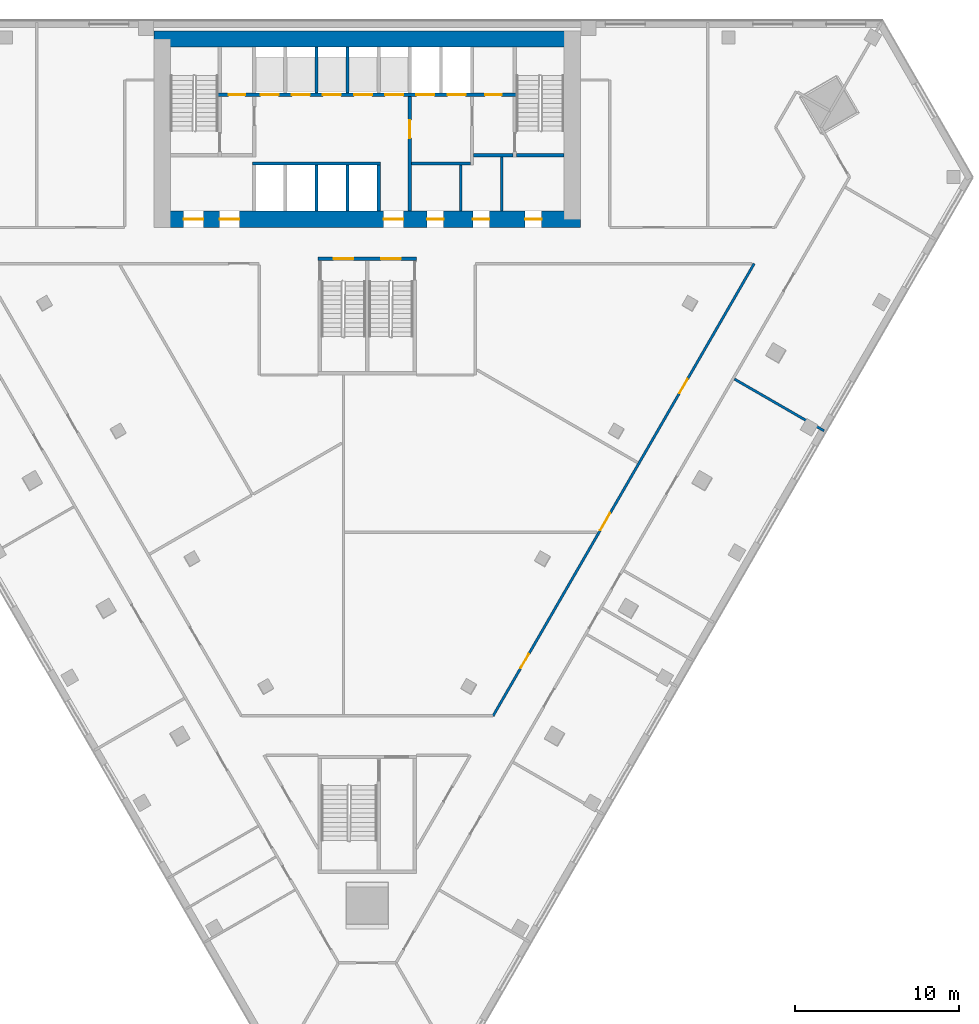
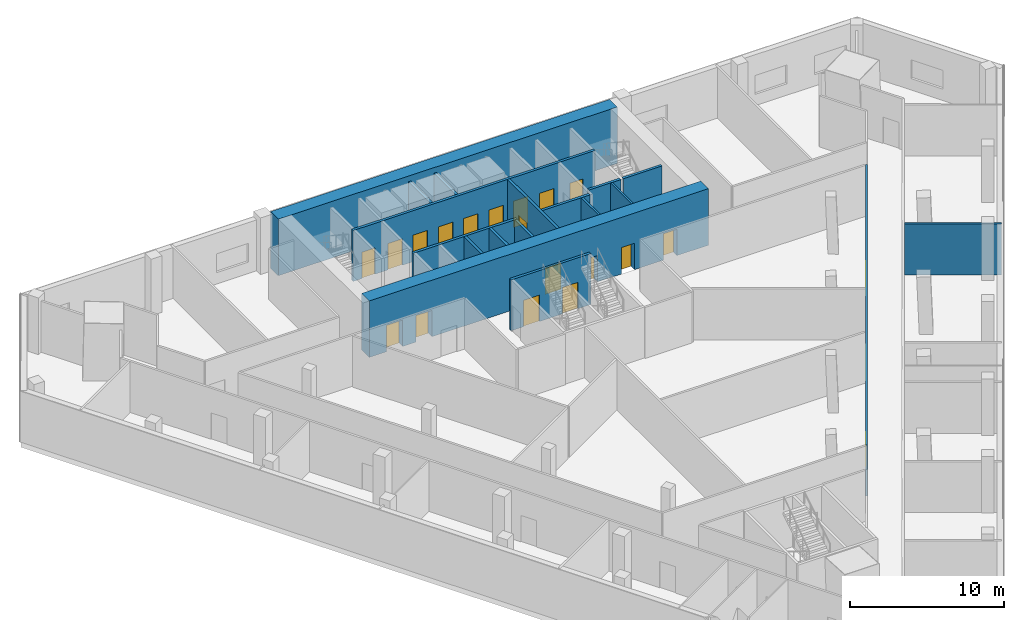
# One storey, part 5 of 9: 21 doors, 18 walls, 21 openings.
"""IFC4 building model written with IfcOpenShell, lengths in metres."""

import ifcopenshell
import ifcopenshell.guid

model = None  # the IFC model being written
_history = None  # IfcOwnerHistory: only IFC2X3 demands one
_inside = {}  # id of a spatial element -> (the spatial element, [elements in it])
_under = {}  # id of a project, library or spatial element -> (it, [spatial elements below it])
_declared = {}  # id of a project -> (the project, [libraries it declares])
_typed = {}  # id of a type object -> (the type object, [elements of that type])
_made_of = {}  # id of a material, layer set ... -> (it, [elements and type objects made of it])


def new_model(schema):
    """Start an empty IFC model of exactly this schema.

    Asked for "IFC4X3", IfcOpenShell would pick the latest addendum, in which some entities
    have other attributes; the version numbers below select the first issue.
    IFC2X3 requires an IfcOwnerHistory on every rooted entity: one is made here for all.
    """
    global model, _history
    if schema == "IFC4X3":
        model = ifcopenshell.file(schema_version=(4, 3, 0, 0))
    else:
        model = ifcopenshell.file(schema=schema)
    _inside.clear()
    _under.clear()
    _declared.clear()
    _typed.clear()
    _made_of.clear()
    _history = None
    if model.schema == "IFC2X3":
        org = make("IfcOrganization", Name="unknown")
        user = make(
            "IfcPersonAndOrganization",
            ThePerson=make("IfcPerson", FamilyName="unknown"),
            TheOrganization=org,
        )
        app = make(
            "IfcApplication",
            ApplicationDeveloper=org,
            Version="unknown",
            ApplicationFullName="unknown",
            ApplicationIdentifier="unknown",
        )
        _history = make(
            "IfcOwnerHistory",
            OwningUser=user,
            OwningApplication=app,
            ChangeAction="ADDED",
            CreationDate=0,
        )
    return model


def make(cls, **values):
    """One entity of the class cls with the attributes given. An attribute that is None is left unset."""
    return model.create_entity(
        cls, **{name: value for name, value in values.items() if value is not None}
    )


def rooted(cls, **values):
    """An entity with a GlobalId (a new one), such as an element, a storey or a relation."""
    return make(cls, GlobalId=ifcopenshell.guid.new(), OwnerHistory=_history, **values)


def si_unit(unit_type, name, prefix=None):
    """IfcSIUnit, for example si_unit("LENGTHUNIT", "METRE", prefix="MILLI")."""
    return make("IfcSIUnit", UnitType=unit_type, Prefix=prefix, Name=name)


def assignment(units):
    """IfcUnitAssignment: the units of a project."""
    return None if units is None else make("IfcUnitAssignment", Units=units)


def point(xyz):
    """IfcCartesianPoint."""
    return None if xyz is None else make("IfcCartesianPoint", Coordinates=xyz)


def direction(xyz):
    """IfcDirection."""
    return None if xyz is None else make("IfcDirection", DirectionRatios=xyz)


def frame(location, z_axis=None, x_axis=None):
    """IfcAxis2Placement3D, a coordinate frame: its origin and axes. An axis left out is left unset."""
    return make(
        "IfcAxis2Placement3D",
        Location=point(location),
        Axis=direction(z_axis),
        RefDirection=direction(x_axis),
    )


def frame_2d(location, x_axis=None):
    """IfcAxis2Placement2D, a coordinate frame in the plane: its origin and x axis."""
    return make(
        "IfcAxis2Placement2D", Location=point(location), RefDirection=direction(x_axis)
    )


def origin():
    """The frame at (0, 0, 0) with its axes left unset."""
    return frame((0.0, 0.0, 0.0))


def place(relative_to, where):
    """IfcLocalPlacement: puts the frame where relative to a parent placement (None: the world)."""
    return make(
        "IfcLocalPlacement", PlacementRelTo=relative_to, RelativePlacement=where
    )


def context(
    kind, dimensions, precision=None, world=None, true_north=None, identifier=None
):
    """IfcGeometricRepresentationContext, for example the 3D "Model" context."""
    return make(
        "IfcGeometricRepresentationContext",
        ContextIdentifier=identifier,
        ContextType=kind,
        CoordinateSpaceDimension=dimensions,
        Precision=precision,
        WorldCoordinateSystem=world,
        TrueNorth=true_north,
    )


def subcontext(parent, identifier, kind, view, scale=None):
    """IfcGeometricRepresentationSubContext, for example "Body" below "Model"."""
    return make(
        "IfcGeometricRepresentationSubContext",
        ContextIdentifier=identifier,
        ContextType=kind,
        ParentContext=parent,
        TargetScale=scale,
        TargetView=view,
    )


def project(units=None, contexts=None):
    """IfcProject with its units and contexts."""
    return rooted(
        "IfcProject",
        Name="project",
        RepresentationContexts=contexts,
        UnitsInContext=assignment(units),
    )


def spatial(cls, under=None, at=None, **own):
    """A site, building, storey or space (cls), placed at a placement, below another one or the project."""
    s = rooted(cls, ObjectPlacement=at, **own)
    if under is not None:
        _under.setdefault(under.id(), (under, []))[1].append(s)
    return s


def profile(cls, at=None, kind="AREA", **sizes):
    """A parametric profile (cls). Its sizes go by their IFC names, for example OverallWidth=200.0."""
    return make(cls, ProfileType=kind, Position=at, **sizes)


def rectangle(**sizes):
    """IfcRectangleProfileDef."""
    return profile("IfcRectangleProfileDef", **sizes)


def extrude(swept, where, along, depth):
    """IfcExtrudedAreaSolid: the profile swept, set in the frame where, extruded along a direction by depth."""
    return make(
        "IfcExtrudedAreaSolid",
        SweptArea=swept,
        Position=where,
        ExtrudedDirection=direction(along),
        Depth=depth,
    )


def shape(context_of_items, identifier, shape_type, items):
    """IfcShapeRepresentation: the items that make up one representation, for example the "Body"."""
    return make(
        "IfcShapeRepresentation",
        ContextOfItems=context_of_items,
        RepresentationIdentifier=identifier,
        RepresentationType=shape_type,
        Items=items,
    )


def material(Name=None, Category=None):
    """IfcMaterial."""
    return make("IfcMaterial", Name=Name, Category=Category)


def layer(
    of_material, thickness, ventilated=None, Name=None, Category=None, Priority=None
):
    """IfcMaterialLayer: one layer of a wall or slab, of a material (None: an air gap)."""
    return make(
        "IfcMaterialLayer",
        Material=of_material,
        LayerThickness=thickness,
        IsVentilated=ventilated,
        Name=Name,
        Category=Category,
        Priority=Priority,
    )


def layer_set(layers, Name=None):
    """IfcMaterialLayerSet."""
    return make("IfcMaterialLayerSet", MaterialLayers=layers, LayerSetName=Name)


def made_of(thing, what):
    """Note that an element or type object is made of a material, layer set ...; save() writes the relation."""
    if what is not None:
        _made_of.setdefault(what.id(), (what, []))[1].append(thing)
    return thing


def type_object(cls, material=None, **own):
    """A type object (cls), such as IfcWallType, which elements share."""
    return made_of(rooted(cls, **own), material)


def element(
    cls,
    number,
    at=None,
    inside=None,
    cuts=None,
    type_object=None,
    material=None,
    context=None,
    identifier="Body",
    shape_type=None,
    held_by="IfcProductDefinitionShape",
    body=None,
    shapes=None,
    **own,
):
    """One element of the class cls, such as IfcWall. Its Tag is "e" and its number.

    at: its placement. inside: the storey or other place that contains it. cuts: it is an
    opening in that element (IfcRelVoidsElement). A single representation is given by context,
    identifier, shape_type and body (its items); several are given by shapes. held_by: the class
    of the entity that holds the representations. save() writes the other relations.
    """
    e = rooted(cls, Tag="e%d" % number, ObjectPlacement=at, **own)
    if body is not None:
        shapes = [shape(context, identifier, shape_type, body)]
    if shapes is not None:
        e.Representation = make(held_by, Representations=shapes)
    if inside is not None:
        _inside.setdefault(inside.id(), (inside, []))[1].append(e)
    if cuts is not None:
        rooted(
            "IfcRelVoidsElement", RelatingBuildingElement=cuts, RelatedOpeningElement=e
        )
    if type_object is not None:
        _typed.setdefault(type_object.id(), (type_object, []))[1].append(e)
    return made_of(e, material)


def fill(opening, filler):
    """IfcRelFillsElement: the door or window that sits in an opening."""
    return rooted(
        "IfcRelFillsElement",
        RelatingOpeningElement=opening,
        RelatedBuildingElement=filler,
    )


def aggregate(whole, parts):
    """IfcRelAggregates: a whole, such as a stair, and the parts it consists of."""
    return rooted("IfcRelAggregates", RelatingObject=whole, RelatedObjects=parts)


def save(model, path):
    """Write the relations noted so far, then the file.

    IfcRelAggregates (storeys below a building ...), IfcRelContainedInSpatialStructure (elements
    in a storey), IfcRelDefinesByType, IfcRelAssociatesMaterial and IfcRelDeclares: one each for
    every whole, place, type object, material and project.
    """
    for whole, parts in _under.values():
        aggregate(whole, parts)
    for where, things in _inside.values():
        rooted(
            "IfcRelContainedInSpatialStructure",
            RelatedElements=things,
            RelatingStructure=where,
        )
    for kind, things in _typed.values():
        rooted("IfcRelDefinesByType", RelatedObjects=things, RelatingType=kind)
    for what, things in _made_of.values():
        rooted("IfcRelAssociatesMaterial", RelatedObjects=things, RelatingMaterial=what)
    for by, libraries in _declared.values():
        rooted("IfcRelDeclares", RelatingContext=by, RelatedDefinitions=libraries)
    model.write(path)


model = new_model("IFC4")

# Units and contexts
model_context = context("Model", 3, precision=1e-05, world=origin(), true_north=direction((0.0, 1.0)))
body_context = subcontext(model_context, "Body", "Model", "MODEL_VIEW")
ifc_project = project(units=[si_unit("LENGTHUNIT", "METRE"), si_unit("AREAUNIT", "SQUARE_METRE"), si_unit("VOLUMEUNIT", "CUBIC_METRE"), si_unit("PLANEANGLEUNIT", "RADIAN"), si_unit("MASSUNIT", "GRAM", prefix="KILO")], contexts=[model_context])

# Site, building, storey
site_placement = place(None, origin())
site = spatial("IfcSite", under=ifc_project, at=site_placement, CompositionType="ELEMENT")
building_placement = place(site_placement, origin())
building = spatial("IfcBuilding", under=site, at=building_placement, Name="Altiplano Prism Tower", CompositionType="ELEMENT")
storey_placement = place(building_placement, frame((0.0, 0.0, 9.0)))
storey = spatial("IfcBuildingStorey", under=building, at=storey_placement, Name="L01", CompositionType="ELEMENT", Elevation=9.0)

# Wall, openings, doors
ifc_material_1 = material(Name="Concrete C70/85", Category="concrete")
ifc_layer_1 = layer(ifc_material_1, 1.0)
ifc_layer_set_1 = layer_set([ifc_layer_1], Name="Concrete C70/85")
wall_type_1 = type_object("IfcWallType", Name="Core wall 1000", PredefinedType="SHEAR", material=ifc_layer_set_1)
wall_1_placement = place(storey_placement, frame((72.5, 92.89990234375, 0.0), z_axis=(0.0, 0.0, 1.0), x_axis=(1.0, 0.0, 0.0)))
wall_1 = element("IfcWall", 1, at=wall_1_placement, inside=storey, type_object=wall_type_1, Name="Core wall S L01", PredefinedType="SHEAR", context=body_context, shape_type="SweptSolid", body=[
    extrude(rectangle(XDim=25.5, YDim=1.0, at=frame_2d((12.75, 0.0))), origin(), (0.0, 0.0, 1.0), 4.5),
])
opening_1_placement = place(wall_1_placement, frame((1.300048828125, 0.0, 0.0)))
opening_1 = element("IfcOpeningElement", 2, at=opening_1_placement, cuts=wall_1, Name="Opening D2605", PredefinedType="OPENING", context=body_context, shape_type="SweptSolid", body=[
    extrude(rectangle(XDim=1.199951171875, YDim=2.10009765625, at=frame_2d((0.60009765625, 1.050048828125))), frame((0.0, 0.510498046875, 0.0), z_axis=(0.0, -1.0, 0.0), x_axis=(1.0, 0.0, 0.0)), (0.0, 0.0, 1.0), 1.02099609375),
])
opening_2_placement = place(wall_1_placement, frame((3.5, 0.0, 0.0)))
opening_2 = element("IfcOpeningElement", 3, at=opening_2_placement, cuts=wall_1, Name="Opening D2606", PredefinedType="OPENING", context=body_context, shape_type="SweptSolid", body=[
    extrude(rectangle(XDim=1.199951171875, YDim=2.10009765625, at=frame_2d((0.60009765625, 1.050048828125))), frame((0.0, 0.510498046875, 0.0), z_axis=(0.0, -1.0, 0.0), x_axis=(1.0, 0.0, 0.0)), (0.0, 0.0, 1.0), 1.02099609375),
])
opening_3_placement = place(wall_1_placement, frame((13.5, 0.0, 0.0)))
opening_3 = element("IfcOpeningElement", 4, at=opening_3_placement, cuts=wall_1, Name="Opening D2607", PredefinedType="OPENING", context=body_context, shape_type="SweptSolid", body=[
    extrude(rectangle(XDim=1.199951171875, YDim=2.10009765625, at=frame_2d((0.60009765625, 1.050048828125))), frame((0.0, 0.510498046875, 0.0), z_axis=(0.0, -1.0, 0.0), x_axis=(1.0, 0.0, 0.0)), (0.0, 0.0, 1.0), 1.02099609375),
])
opening_4_placement = place(wall_1_placement, frame((16.16259765625, 0.0, 0.0)))
opening_4 = element("IfcOpeningElement", 5, at=opening_4_placement, cuts=wall_1, Name="Opening D2610", PredefinedType="OPENING", context=body_context, shape_type="SweptSolid", body=[
    extrude(rectangle(XDim=1.0, YDim=2.10009765625, at=frame_2d((0.5, 1.050048828125))), frame((0.0, 0.510498046875, 0.0), z_axis=(0.0, -1.0, 0.0), x_axis=(1.0, 0.0, 0.0)), (0.0, 0.0, 1.0), 1.02099609375),
])
opening_5_placement = place(wall_1_placement, frame((18.949951171875, 0.0, 0.0)))
opening_5 = element("IfcOpeningElement", 6, at=opening_5_placement, cuts=wall_1, Name="Opening D2611", PredefinedType="OPENING", context=body_context, shape_type="SweptSolid", body=[
    extrude(rectangle(XDim=1.0, YDim=2.10009765625, at=frame_2d((0.5, 1.050048828125))), frame((0.0, 0.510498046875, 0.0), z_axis=(0.0, -1.0, 0.0), x_axis=(1.0, 0.0, 0.0)), (0.0, 0.0, 1.0), 1.02099609375),
])
opening_6_placement = place(wall_1_placement, frame((22.137451171875, 0.0, 0.0)))
opening_6 = element("IfcOpeningElement", 7, at=opening_6_placement, cuts=wall_1, Name="Opening D2612", PredefinedType="OPENING", context=body_context, shape_type="SweptSolid", body=[
    extrude(rectangle(XDim=1.0, YDim=2.10009765625, at=frame_2d((0.5, 1.050048828125))), frame((0.0, 0.510498046875, 0.0), z_axis=(0.0, -1.0, 0.0), x_axis=(1.0, 0.0, 0.0)), (0.0, 0.0, 1.0), 1.02099609375),
])
ifc_material_2 = material(Name="Fire-rated steel door", Category="steel")
door_type_1 = type_object("IfcDoorType", Name="Core room door 1000 x 2100", OperationType="NOTDEFINED", PredefinedType="NOTDEFINED", material=ifc_material_2)
door_1_placement = place(opening_4_placement, origin())
door_1 = element("IfcDoor", 8, at=door_1_placement, inside=storey, type_object=door_type_1, Name="Core room door D2610", OperationType="SINGLE_SWING_RIGHT", OverallHeight=2.10009765625, OverallWidth=1.0, PredefinedType="NOTDEFINED", context=body_context, shape_type="SweptSolid", body=[
    extrude(rectangle(XDim=1.0, YDim=2.10009765625, at=frame_2d((0.5, 1.050048828125))), frame((0.0, 0.02490234375, 0.0), z_axis=(0.0, -1.0, 0.0), x_axis=(1.0, 0.0, 0.0)), (0.0, 0.0, 1.0), 0.050048828125),
])
fill(opening_4, door_1)
door_2_placement = place(opening_5_placement, origin())
door_2 = element("IfcDoor", 9, at=door_2_placement, inside=storey, type_object=door_type_1, Name="Core room door D2611", OperationType="SINGLE_SWING_LEFT", OverallHeight=2.10009765625, OverallWidth=1.0, PredefinedType="NOTDEFINED", context=body_context, shape_type="SweptSolid", body=[
    extrude(rectangle(XDim=1.0, YDim=2.10009765625, at=frame_2d((0.5, 1.050048828125))), frame((0.0, 0.02490234375, 0.0), z_axis=(0.0, -1.0, 0.0), x_axis=(1.0, 0.0, 0.0)), (0.0, 0.0, 1.0), 0.050048828125),
])
fill(opening_5, door_2)
door_3_placement = place(opening_6_placement, origin())
door_3 = element("IfcDoor", 10, at=door_3_placement, inside=storey, type_object=door_type_1, Name="Core room door D2612", OperationType="SINGLE_SWING_RIGHT", OverallHeight=2.10009765625, OverallWidth=1.0, PredefinedType="NOTDEFINED", context=body_context, shape_type="SweptSolid", body=[
    extrude(rectangle(XDim=1.0, YDim=2.10009765625, at=frame_2d((0.5, 1.050048828125))), frame((0.0, 0.02490234375, 0.0), z_axis=(0.0, -1.0, 0.0), x_axis=(1.0, 0.0, 0.0)), (0.0, 0.0, 1.0), 0.050048828125),
])
fill(opening_6, door_3)
door_type_2 = type_object("IfcDoorType", Name="Lobby fire door 1200 x 2100", OperationType="NOTDEFINED", PredefinedType="NOTDEFINED", material=ifc_material_2)
door_4_placement = place(opening_1_placement, origin())
door_4 = element("IfcDoor", 11, at=door_4_placement, inside=storey, type_object=door_type_2, Name="Lobby fire door D2605", OperationType="SINGLE_SWING_RIGHT", OverallHeight=2.10009765625, OverallWidth=1.199951171875, PredefinedType="NOTDEFINED", context=body_context, shape_type="SweptSolid", body=[
    extrude(rectangle(XDim=1.199951171875, YDim=2.10009765625, at=frame_2d((0.60009765625, 1.050048828125))), frame((0.0, 0.02490234375, 0.0), z_axis=(0.0, -1.0, 0.0), x_axis=(1.0, 0.0, 0.0)), (0.0, 0.0, 1.0), 0.050048828125),
])
fill(opening_1, door_4)
door_5_placement = place(opening_2_placement, origin())
door_5 = element("IfcDoor", 12, at=door_5_placement, inside=storey, type_object=door_type_2, Name="Lobby fire door D2606", OperationType="SINGLE_SWING_LEFT", OverallHeight=2.10009765625, OverallWidth=1.199951171875, PredefinedType="NOTDEFINED", context=body_context, shape_type="SweptSolid", body=[
    extrude(rectangle(XDim=1.199951171875, YDim=2.10009765625, at=frame_2d((0.60009765625, 1.050048828125))), frame((0.0, 0.02490234375, 0.0), z_axis=(0.0, -1.0, 0.0), x_axis=(1.0, 0.0, 0.0)), (0.0, 0.0, 1.0), 0.050048828125),
])
fill(opening_2, door_5)
door_6_placement = place(opening_3_placement, origin())
door_6 = element("IfcDoor", 13, at=door_6_placement, inside=storey, type_object=door_type_2, Name="Lobby fire door D2607", OperationType="SINGLE_SWING_RIGHT", OverallHeight=2.10009765625, OverallWidth=1.199951171875, PredefinedType="NOTDEFINED", context=body_context, shape_type="SweptSolid", body=[
    extrude(rectangle(XDim=1.199951171875, YDim=2.10009765625, at=frame_2d((0.60009765625, 1.050048828125))), frame((0.0, 0.02490234375, 0.0), z_axis=(0.0, -1.0, 0.0), x_axis=(1.0, 0.0, 0.0)), (0.0, 0.0, 1.0), 0.050048828125),
])
fill(opening_3, door_6)

# Wall
wall_2_placement = place(storey_placement, frame((97.5, 103.89990234375, 0.0), z_axis=(0.0, 0.0, 1.0), x_axis=(-1.0, 0.0, 0.0)))
element("IfcWall", 14, at=wall_2_placement, inside=storey, type_object=wall_type_1, Name="Core wall N L01", PredefinedType="SHEAR", context=body_context, shape_type="SweptSolid", body=[
    extrude(rectangle(XDim=25.5, YDim=1.0, at=frame_2d((12.75, 0.0))), origin(), (0.0, 0.0, 1.0), 4.5),
])

# Wall, openings, doors
ifc_material_3 = material(Name="Plasterboard on steel stud", Category="steel")
ifc_layer_2 = layer(ifc_material_3, 0.14990234375)
ifc_layer_set_2 = layer_set([ifc_layer_2], Name="Plasterboard on steel stud")
wall_type_2 = type_object("IfcWallType", Name="Partition 150 corridor", PredefinedType="PARTITIONING", material=ifc_layer_set_2)
wall_3_placement = place(storey_placement, frame((108.613525390625, 90.199951171875, 0.0), z_axis=(0.0, 0.0, 1.0), x_axis=(-0.500000743568, -0.866024974485, 0.0)))
wall_3 = element("IfcWall", 15, at=wall_3_placement, inside=storey, type_object=wall_type_2, Name="Partition P06 L01 009", PredefinedType="PARTITIONING", context=body_context, shape_type="SweptSolid", body=[
    extrude(rectangle(XDim=31.86962890625, YDim=0.14990234375, at=frame_2d((15.934814453125, 0.0))), origin(), (0.0, 0.0, 1.0), 4.050048828125),
])
opening_7_placement = place(wall_3_placement, frame((17.587890625, 0.0, 0.0)))
opening_7 = element("IfcOpeningElement", 16, at=opening_7_placement, cuts=wall_3, Name="Opening D0039", PredefinedType="OPENING", context=body_context, shape_type="SweptSolid", body=[
    extrude(rectangle(XDim=1.199951171875, YDim=2.10009765625, at=frame_2d((0.60009765625, 1.050048828125))), frame((0.0, 0.08544921875, 0.0), z_axis=(0.0, -1.0, 0.0), x_axis=(1.0, 0.0, 0.0)), (0.0, 0.0, 1.0), 0.1708984375),
])
opening_8_placement = place(wall_3_placement, frame((27.5029296875, 0.0, 0.0)))
opening_8 = element("IfcOpeningElement", 17, at=opening_8_placement, cuts=wall_3, Name="Opening D0040", PredefinedType="OPENING", context=body_context, shape_type="SweptSolid", body=[
    extrude(rectangle(XDim=1.0, YDim=2.10009765625, at=frame_2d((0.5, 1.050048828125))), frame((0.0, 0.08544921875, 0.0), z_axis=(0.0, -1.0, 0.0), x_axis=(1.0, 0.0, 0.0)), (0.0, 0.0, 1.0), 0.1708984375),
])
opening_9_placement = place(wall_3_placement, frame((8.135009765625, 0.0, 0.0)))
opening_9 = element("IfcOpeningElement", 18, at=opening_9_placement, cuts=wall_3, Name="Opening D0041", PredefinedType="OPENING", context=body_context, shape_type="SweptSolid", body=[
    extrude(rectangle(XDim=1.0, YDim=2.10009765625, at=frame_2d((0.5, 1.050048828125))), frame((0.0, 0.08544921875, 0.0), z_axis=(0.0, -1.0, 0.0), x_axis=(1.0, 0.0, 0.0)), (0.0, 0.0, 1.0), 0.1708984375),
])
ifc_material_4 = material(Name="Timber", Category="wood")
door_type_3 = type_object("IfcDoorType", Name="Shared room door 1200 x 2100", OperationType="NOTDEFINED", PredefinedType="NOTDEFINED", material=ifc_material_4)
door_7_placement = place(opening_7_placement, origin())
door_7 = element("IfcDoor", 19, at=door_7_placement, inside=storey, type_object=door_type_3, Name="Door D0039", OperationType="SINGLE_SWING_RIGHT", OverallHeight=2.10009765625, OverallWidth=1.199951171875, PredefinedType="NOTDEFINED", context=body_context, shape_type="SweptSolid", body=[
    extrude(rectangle(XDim=1.199951171875, YDim=2.10009765625, at=frame_2d((0.60009765625, 1.050048828125))), frame((0.0, 0.02490234375, 0.0), z_axis=(0.0, -1.0, 0.0), x_axis=(1.0, 0.0, 0.0)), (0.0, 0.0, 1.0), 0.050048828125),
])
fill(opening_7, door_7)
door_type_4 = type_object("IfcDoorType", Name="Store door 1000 x 2100", OperationType="NOTDEFINED", PredefinedType="NOTDEFINED", material=ifc_material_4)
door_8_placement = place(opening_8_placement, origin())
door_8 = element("IfcDoor", 20, at=door_8_placement, inside=storey, type_object=door_type_4, Name="Door D0040", OperationType="SINGLE_SWING_RIGHT", OverallHeight=2.10009765625, OverallWidth=1.0, PredefinedType="NOTDEFINED", context=body_context, shape_type="SweptSolid", body=[
    extrude(rectangle(XDim=1.0, YDim=2.10009765625, at=frame_2d((0.5, 1.050048828125))), frame((0.0, 0.02490234375, 0.0), z_axis=(0.0, -1.0, 0.0), x_axis=(1.0, 0.0, 0.0)), (0.0, 0.0, 1.0), 0.050048828125),
])
fill(opening_8, door_8)
door_9_placement = place(opening_9_placement, origin())
door_9 = element("IfcDoor", 21, at=door_9_placement, inside=storey, type_object=door_type_4, Name="Door D0041", OperationType="SINGLE_SWING_LEFT", OverallHeight=2.10009765625, OverallWidth=1.0, PredefinedType="NOTDEFINED", context=body_context, shape_type="SweptSolid", body=[
    extrude(rectangle(XDim=1.0, YDim=2.10009765625, at=frame_2d((0.5, 1.050048828125))), frame((0.0, 0.02490234375, 0.0), z_axis=(0.0, -1.0, 0.0), x_axis=(1.0, 0.0, 0.0)), (0.0, 0.0, 1.0), 0.050048828125),
])
fill(opening_9, door_9)

# Walls
ifc_layer_3 = layer(ifc_material_3, 0.14990234375)
ifc_layer_set_3 = layer_set([ifc_layer_3], Name="Plasterboard on steel stud")
wall_type_3 = type_object("IfcWallType", Name="Partition 150 party", PredefinedType="PARTITIONING", material=ifc_layer_set_3)
wall_4_placement = place(storey_placement, frame((112.881103515625, 79.991455078125, 0.0), z_axis=(0.0, 0.0, 1.0), x_axis=(-0.866042250622, 0.499970819286, 0.0)))
element("IfcWall", 22, at=wall_4_placement, inside=storey, type_object=wall_type_3, Name="Partition P01 L01 050", PredefinedType="PARTITIONING", context=body_context, shape_type="SweptSolid", body=[
    extrude(rectangle(XDim=6.3251953125, YDim=0.14990234375, at=frame_2d((3.16259765625, 0.0))), origin(), (0.0, 0.0, 1.0), 4.050048828125),
])
ifc_material_5 = material(Name="Fire-rated gypsum board partition")
ifc_layer_4 = layer(ifc_material_5, 0.14990234375)
ifc_layer_set_4 = layer_set([ifc_layer_4], Name="Fire-rated gypsum board partition")
wall_type_4 = type_object("IfcWallType", Name="Room partition 150", PredefinedType="PARTITIONING", material=ifc_layer_set_4)
wall_5_placement = place(storey_placement, frame((90.699951171875, 93.39990234375, 0.0), z_axis=(0.0, 0.0, 1.0), x_axis=(0.0, 1.0, 0.0)))
element("IfcWall", 23, at=wall_5_placement, inside=storey, type_object=wall_type_4, Name="Room partition L01", PredefinedType="PARTITIONING", context=body_context, shape_type="SweptSolid", body=[
    extrude(rectangle(XDim=2.800048828125, YDim=0.14990234375, at=frame_2d((1.39990234375, 0.0))), origin(), (0.0, 0.0, 1.0), 4.050048828125),
])
wall_6_placement = place(storey_placement, frame((93.199951171875, 93.39990234375, 0.0), z_axis=(0.0, 0.0, 1.0), x_axis=(0.0, 1.0, 0.0)))
element("IfcWall", 24, at=wall_6_placement, inside=storey, type_object=wall_type_4, Name="Room partition L01", PredefinedType="PARTITIONING", context=body_context, shape_type="SweptSolid", body=[
    extrude(rectangle(XDim=3.300048828125, YDim=0.14990234375, at=frame_2d((1.64990234375, 0.0))), origin(), (0.0, 0.0, 1.0), 4.050048828125),
])
ifc_material_6 = material(Name="Concrete C60/75", Category="concrete")
ifc_layer_5 = layer(ifc_material_6, 0.199951171875)
ifc_layer_set_5 = layer_set([ifc_layer_5], Name="Concrete C60/75")
wall_type_5 = type_object("IfcWallType", Name="Shaft wall 200", PredefinedType="SOLIDWALL", material=ifc_layer_set_5)
for number, where, z_axis, x_axis, name in (
    (25, (81.89990234375, 93.39990234375, 0.0), (0.0, 0.0, 1.0), (0.0, 1.0, 0.0), "Shaft wall L01"),
    (26, (83.800048828125, 93.39990234375, 0.0), (0.0, 0.0, 1.0), (0.0, 1.0, 0.0), "Shaft wall L01"),
    (27, (85.699951171875, 93.39990234375, 0.0), (0.0, 0.0, 1.0), (0.0, 1.0, 0.0), "Shaft wall L01"),
):
    element("IfcWall", number, at=place(storey_placement, frame(where, z_axis=z_axis, x_axis=x_axis)), inside=storey, type_object=wall_type_5, Name=name, PredefinedType="SOLIDWALL", context=body_context, shape_type="SweptSolid", body=[
        extrude(rectangle(XDim=2.800048828125, YDim=0.199951171875, at=frame_2d((1.39990234375, 0.0))), origin(), (0.0, 0.0, 1.0), 4.050048828125),
    ])
wall_7_placement = place(storey_placement, frame((78.0, 96.300048828125, 0.0), z_axis=(0.0, 0.0, 1.0), x_axis=(1.0, 0.0, 0.0)))
element("IfcWall", 28, at=wall_7_placement, inside=storey, type_object=wall_type_5, Name="Shaft wall L01", PredefinedType="SOLIDWALL", context=body_context, shape_type="SweptSolid", body=[
    extrude(rectangle(XDim=7.800048828125, YDim=0.199951171875, at=frame_2d((3.89990234375, 0.0))), origin(), (0.0, 0.0, 1.0), 4.050048828125),
])
for number, where, z_axis, x_axis, name in (
    (29, (81.89990234375, 100.60009765625, 0.0), (0.0, 0.0, 1.0), (0.0, 1.0, 0.0), "Shaft wall L01"),
    (30, (83.800048828125, 100.60009765625, 0.0), (0.0, 0.0, 1.0), (0.0, 1.0, 0.0), "Shaft wall L01"),
):
    element("IfcWall", number, at=place(storey_placement, frame(where, z_axis=z_axis, x_axis=x_axis)), inside=storey, type_object=wall_type_5, Name=name, PredefinedType="SOLIDWALL", context=body_context, shape_type="SweptSolid", body=[
        extrude(rectangle(XDim=2.7998046875, YDim=0.199951171875, at=frame_2d((1.39990234375, 0.0))), origin(), (0.0, 0.0, 1.0), 4.050048828125),
    ])
ifc_layer_6 = layer(ifc_material_6, 0.199951171875)
ifc_layer_set_6 = layer_set([ifc_layer_6], Name="Concrete C60/75")
wall_type_6 = type_object("IfcWallType", Name="Stair wall 200", PredefinedType="SOLIDWALL", material=ifc_layer_set_6)
wall_8_placement = place(storey_placement, frame((94.10009765625, 96.800048828125, 0.0), z_axis=(0.0, 0.0, 1.0), x_axis=(1.0, 0.0, 0.0)))
element("IfcWall", 31, at=wall_8_placement, inside=storey, type_object=wall_type_6, Name="Stair wall L01", PredefinedType="SOLIDWALL", context=body_context, shape_type="SweptSolid", body=[
    extrude(rectangle(XDim=2.89990234375, YDim=0.199951171875, at=frame_2d((1.449951171875, 0.0))), origin(), (0.0, 0.0, 1.0), 4.050048828125),
])

# Wall, openings, doors
wall_9_placement = place(storey_placement, frame((75.89990234375, 100.5, 0.0), z_axis=(0.0, 0.0, 1.0), x_axis=(1.0, 0.0, 0.0)))
wall_9 = element("IfcWall", 32, at=wall_9_placement, inside=storey, type_object=wall_type_6, Name="Stair wall L01", PredefinedType="SOLIDWALL", context=body_context, shape_type="SweptSolid", body=[
    extrude(rectangle(XDim=18.2001953125, YDim=0.199951171875, at=frame_2d((9.10009765625, 0.0))), origin(), (0.0, 0.0, 1.0), 4.050048828125),
])
opening_10_placement = place(wall_9_placement, frame((2.60009765625, 0.0, 0.0)))
opening_10 = element("IfcOpeningElement", 33, at=opening_10_placement, cuts=wall_9, Name="Opening LD-LL1-L01", PredefinedType="OPENING", context=body_context, shape_type="SweptSolid", body=[
    extrude(rectangle(XDim=1.10009765625, YDim=2.10009765625, at=frame_2d((0.550048828125, 1.050048828125))), frame((0.0, 0.1103515625, 0.0), z_axis=(0.0, -1.0, 0.0), x_axis=(1.0, 0.0, 0.0)), (0.0, 0.0, 1.0), 0.220947265625),
])
opening_11_placement = place(wall_9_placement, frame((4.5, 0.0, 0.0)))
opening_11 = element("IfcOpeningElement", 34, at=opening_11_placement, cuts=wall_9, Name="Opening LD-LL2-L01", PredefinedType="OPENING", context=body_context, shape_type="SweptSolid", body=[
    extrude(rectangle(XDim=1.10009765625, YDim=2.10009765625, at=frame_2d((0.550048828125, 1.050048828125))), frame((0.0, 0.1103515625, 0.0), z_axis=(0.0, -1.0, 0.0), x_axis=(1.0, 0.0, 0.0)), (0.0, 0.0, 1.0), 0.220947265625),
])
opening_12_placement = place(wall_9_placement, frame((6.39990234375, 0.0, 0.0)))
opening_12 = element("IfcOpeningElement", 35, at=opening_12_placement, cuts=wall_9, Name="Opening LD-LL3-L01", PredefinedType="OPENING", context=body_context, shape_type="SweptSolid", body=[
    extrude(rectangle(XDim=1.10009765625, YDim=2.10009765625, at=frame_2d((0.550048828125, 1.050048828125))), frame((0.0, 0.1103515625, 0.0), z_axis=(0.0, -1.0, 0.0), x_axis=(1.0, 0.0, 0.0)), (0.0, 0.0, 1.0), 0.220947265625),
])
opening_13_placement = place(wall_9_placement, frame((8.300048828125, 0.0, 0.0)))
opening_13 = element("IfcOpeningElement", 36, at=opening_13_placement, cuts=wall_9, Name="Opening LD-LL4-L01", PredefinedType="OPENING", context=body_context, shape_type="SweptSolid", body=[
    extrude(rectangle(XDim=1.10009765625, YDim=2.10009765625, at=frame_2d((0.550048828125, 1.050048828125))), frame((0.0, 0.1103515625, 0.0), z_axis=(0.0, -1.0, 0.0), x_axis=(1.0, 0.0, 0.0)), (0.0, 0.0, 1.0), 0.220947265625),
])
opening_14_placement = place(wall_9_placement, frame((10.199951171875, 0.0, 0.0)))
opening_14 = element("IfcOpeningElement", 37, at=opening_14_placement, cuts=wall_9, Name="Opening LD-LL5-L01", PredefinedType="OPENING", context=body_context, shape_type="SweptSolid", body=[
    extrude(rectangle(XDim=1.10009765625, YDim=2.10009765625, at=frame_2d((0.550048828125, 1.050048828125))), frame((0.0, 0.1103515625, 0.0), z_axis=(0.0, -1.0, 0.0), x_axis=(1.0, 0.0, 0.0)), (0.0, 0.0, 1.0), 0.220947265625),
])
opening_15_placement = place(wall_9_placement, frame((12.10009765625, 0.0, 0.0)))
opening_15 = element("IfcOpeningElement", 38, at=opening_15_placement, cuts=wall_9, Name="Opening LD-FF1-L01", PredefinedType="OPENING", context=body_context, shape_type="SweptSolid", body=[
    extrude(rectangle(XDim=1.10009765625, YDim=2.10009765625, at=frame_2d((0.550048828125, 1.050048828125))), frame((0.0, 0.1103515625, 0.0), z_axis=(0.0, -1.0, 0.0), x_axis=(1.0, 0.0, 0.0)), (0.0, 0.0, 1.0), 0.220947265625),
])
opening_16_placement = place(wall_9_placement, frame((14.0, 0.0, 0.0)))
opening_16 = element("IfcOpeningElement", 39, at=opening_16_placement, cuts=wall_9, Name="Opening LD-FF2-L01", PredefinedType="OPENING", context=body_context, shape_type="SweptSolid", body=[
    extrude(rectangle(XDim=1.10009765625, YDim=2.10009765625, at=frame_2d((0.550048828125, 1.050048828125))), frame((0.0, 0.1103515625, 0.0), z_axis=(0.0, -1.0, 0.0), x_axis=(1.0, 0.0, 0.0)), (0.0, 0.0, 1.0), 0.220947265625),
])
opening_17_placement = place(wall_9_placement, frame((0.64990234375, 0.0, 0.0)))
opening_17 = element("IfcOpeningElement", 40, at=opening_17_placement, cuts=wall_9, Name="Opening D2608", PredefinedType="OPENING", context=body_context, shape_type="SweptSolid", body=[
    extrude(rectangle(XDim=1.0, YDim=2.10009765625, at=frame_2d((0.5, 1.050048828125))), frame((0.0, 0.1103515625, 0.0), z_axis=(0.0, -1.0, 0.0), x_axis=(1.0, 0.0, 0.0)), (0.0, 0.0, 1.0), 0.220947265625),
])
opening_18_placement = place(wall_9_placement, frame((16.300048828125, 0.0, 0.0)))
opening_18 = element("IfcOpeningElement", 41, at=opening_18_placement, cuts=wall_9, Name="Opening D2609", PredefinedType="OPENING", context=body_context, shape_type="SweptSolid", body=[
    extrude(rectangle(XDim=1.0, YDim=2.10009765625, at=frame_2d((0.5, 1.050048828125))), frame((0.0, 0.1103515625, 0.0), z_axis=(0.0, -1.0, 0.0), x_axis=(1.0, 0.0, 0.0)), (0.0, 0.0, 1.0), 0.220947265625),
])
door_10_placement = place(opening_17_placement, origin())
door_10 = element("IfcDoor", 42, at=door_10_placement, inside=storey, type_object=door_type_1, Name="Core room door D2608", OperationType="SINGLE_SWING_LEFT", OverallHeight=2.10009765625, OverallWidth=1.0, PredefinedType="NOTDEFINED", context=body_context, shape_type="SweptSolid", body=[
    extrude(rectangle(XDim=1.0, YDim=2.10009765625, at=frame_2d((0.5, 1.050048828125))), frame((0.0, 0.02490234375, 0.0), z_axis=(0.0, -1.0, 0.0), x_axis=(1.0, 0.0, 0.0)), (0.0, 0.0, 1.0), 0.050048828125),
])
fill(opening_17, door_10)
door_11_placement = place(opening_18_placement, origin())
door_11 = element("IfcDoor", 43, at=door_11_placement, inside=storey, type_object=door_type_1, Name="Core room door D2609", OperationType="SINGLE_SWING_RIGHT", OverallHeight=2.10009765625, OverallWidth=1.0, PredefinedType="NOTDEFINED", context=body_context, shape_type="SweptSolid", body=[
    extrude(rectangle(XDim=1.0, YDim=2.10009765625, at=frame_2d((0.5, 1.050048828125))), frame((0.0, 0.02490234375, 0.0), z_axis=(0.0, -1.0, 0.0), x_axis=(1.0, 0.0, 0.0)), (0.0, 0.0, 1.0), 0.050048828125),
])
fill(opening_18, door_11)
ifc_material_7 = material(Name="Stainless steel landing door", Category="steel")
door_type_5 = type_object("IfcDoorType", Name="Landing door 1100 x 2100", OperationType="NOTDEFINED", PredefinedType="NOTDEFINED", material=ifc_material_7)
door_12_placement = place(opening_10_placement, origin())
door_12 = element("IfcDoor", 44, at=door_12_placement, inside=storey, type_object=door_type_5, Name="Landing doors LL1", OperationType="SLIDING_TO_RIGHT", OverallHeight=2.10009765625, OverallWidth=1.10009765625, PredefinedType="NOTDEFINED", context=body_context, shape_type="SweptSolid", body=[
    extrude(rectangle(XDim=1.10009765625, YDim=2.10009765625, at=frame_2d((0.550048828125, 1.050048828125))), frame((0.0, 0.02490234375, 0.0), z_axis=(0.0, -1.0, 0.0), x_axis=(1.0, 0.0, 0.0)), (0.0, 0.0, 1.0), 0.050048828125),
])
fill(opening_10, door_12)
door_13_placement = place(opening_11_placement, origin())
door_13 = element("IfcDoor", 45, at=door_13_placement, inside=storey, type_object=door_type_5, Name="Landing doors LL2", OperationType="SLIDING_TO_LEFT", OverallHeight=2.10009765625, OverallWidth=1.10009765625, PredefinedType="NOTDEFINED", context=body_context, shape_type="SweptSolid", body=[
    extrude(rectangle(XDim=1.10009765625, YDim=2.10009765625, at=frame_2d((0.550048828125, 1.050048828125))), frame((0.0, 0.02490234375, 0.0), z_axis=(0.0, -1.0, 0.0), x_axis=(1.0, 0.0, 0.0)), (0.0, 0.0, 1.0), 0.050048828125),
])
fill(opening_11, door_13)
door_14_placement = place(opening_12_placement, origin())
door_14 = element("IfcDoor", 46, at=door_14_placement, inside=storey, type_object=door_type_5, Name="Landing doors LL3", OperationType="SLIDING_TO_RIGHT", OverallHeight=2.10009765625, OverallWidth=1.10009765625, PredefinedType="NOTDEFINED", context=body_context, shape_type="SweptSolid", body=[
    extrude(rectangle(XDim=1.10009765625, YDim=2.10009765625, at=frame_2d((0.550048828125, 1.050048828125))), frame((0.0, 0.02490234375, 0.0), z_axis=(0.0, -1.0, 0.0), x_axis=(1.0, 0.0, 0.0)), (0.0, 0.0, 1.0), 0.050048828125),
])
fill(opening_12, door_14)
door_15_placement = place(opening_13_placement, origin())
door_15 = element("IfcDoor", 47, at=door_15_placement, inside=storey, type_object=door_type_5, Name="Landing doors LL4", OperationType="SLIDING_TO_LEFT", OverallHeight=2.10009765625, OverallWidth=1.10009765625, PredefinedType="NOTDEFINED", context=body_context, shape_type="SweptSolid", body=[
    extrude(rectangle(XDim=1.10009765625, YDim=2.10009765625, at=frame_2d((0.550048828125, 1.050048828125))), frame((0.0, 0.02490234375, 0.0), z_axis=(0.0, -1.0, 0.0), x_axis=(1.0, 0.0, 0.0)), (0.0, 0.0, 1.0), 0.050048828125),
])
fill(opening_13, door_15)
door_16_placement = place(opening_14_placement, origin())
door_16 = element("IfcDoor", 48, at=door_16_placement, inside=storey, type_object=door_type_5, Name="Landing doors LL5", OperationType="SLIDING_TO_RIGHT", OverallHeight=2.10009765625, OverallWidth=1.10009765625, PredefinedType="NOTDEFINED", context=body_context, shape_type="SweptSolid", body=[
    extrude(rectangle(XDim=1.10009765625, YDim=2.10009765625, at=frame_2d((0.550048828125, 1.050048828125))), frame((0.0, 0.02490234375, 0.0), z_axis=(0.0, -1.0, 0.0), x_axis=(1.0, 0.0, 0.0)), (0.0, 0.0, 1.0), 0.050048828125),
])
fill(opening_14, door_16)
door_17_placement = place(opening_15_placement, origin())
door_17 = element("IfcDoor", 49, at=door_17_placement, inside=storey, type_object=door_type_5, Name="Landing doors FF1", OperationType="SLIDING_TO_RIGHT", OverallHeight=2.10009765625, OverallWidth=1.10009765625, PredefinedType="NOTDEFINED", context=body_context, shape_type="SweptSolid", body=[
    extrude(rectangle(XDim=1.10009765625, YDim=2.10009765625, at=frame_2d((0.550048828125, 1.050048828125))), frame((0.0, 0.02490234375, 0.0), z_axis=(0.0, -1.0, 0.0), x_axis=(1.0, 0.0, 0.0)), (0.0, 0.0, 1.0), 0.050048828125),
])
fill(opening_15, door_17)
door_18_placement = place(opening_16_placement, origin())
door_18 = element("IfcDoor", 50, at=door_18_placement, inside=storey, type_object=door_type_5, Name="Landing doors FF2", OperationType="SLIDING_TO_LEFT", OverallHeight=2.10009765625, OverallWidth=1.10009765625, PredefinedType="NOTDEFINED", context=body_context, shape_type="SweptSolid", body=[
    extrude(rectangle(XDim=1.10009765625, YDim=2.10009765625, at=frame_2d((0.550048828125, 1.050048828125))), frame((0.0, 0.02490234375, 0.0), z_axis=(0.0, -1.0, 0.0), x_axis=(1.0, 0.0, 0.0)), (0.0, 0.0, 1.0), 0.050048828125),
])
fill(opening_16, door_18)

wall_10_placement = place(storey_placement, frame((82.0, 90.5, 0.0), z_axis=(0.0, 0.0, 1.0), x_axis=(1.0, 0.0, 0.0)))
wall_10 = element("IfcWall", 51, at=wall_10_placement, inside=storey, type_object=wall_type_6, Name="Stair 3 wall north L01", PredefinedType="SOLIDWALL", context=body_context, shape_type="SweptSolid", body=[
    extrude(rectangle(XDim=6.0, YDim=0.199951171875, at=frame_2d((3.0, 0.0))), origin(), (0.0, 0.0, 1.0), 4.050048828125),
])
opening_19_placement = place(wall_10_placement, frame((0.949951171875, 0.0, 0.0)))
opening_19 = element("IfcOpeningElement", 52, at=opening_19_placement, cuts=wall_10, Name="Opening D3916", PredefinedType="OPENING", context=body_context, shape_type="SweptSolid", body=[
    extrude(rectangle(XDim=1.199951171875, YDim=2.10009765625, at=frame_2d((0.60009765625, 1.050048828125))), frame((0.0, 0.1103515625, 0.0), z_axis=(0.0, -1.0, 0.0), x_axis=(1.0, 0.0, 0.0)), (0.0, 0.0, 1.0), 0.220947265625),
])
opening_20_placement = place(wall_10_placement, frame((3.85009765625, 0.0, 0.0)))
opening_20 = element("IfcOpeningElement", 53, at=opening_20_placement, cuts=wall_10, Name="Opening D3918", PredefinedType="OPENING", context=body_context, shape_type="SweptSolid", body=[
    extrude(rectangle(XDim=1.199951171875, YDim=2.10009765625, at=frame_2d((0.60009765625, 1.050048828125))), frame((0.0, 0.1103515625, 0.0), z_axis=(0.0, -1.0, 0.0), x_axis=(1.0, 0.0, 0.0)), (0.0, 0.0, 1.0), 0.220947265625),
])
door_type_6 = type_object("IfcDoorType", Name="Stair fire door 1200 x 2100", OperationType="NOTDEFINED", PredefinedType="NOTDEFINED", material=ifc_material_2)
door_19_placement = place(opening_19_placement, origin())
door_19 = element("IfcDoor", 54, at=door_19_placement, inside=storey, type_object=door_type_6, Name="Stair fire door D3916", OperationType="SINGLE_SWING_LEFT", OverallHeight=2.10009765625, OverallWidth=1.199951171875, PredefinedType="NOTDEFINED", context=body_context, shape_type="SweptSolid", body=[
    extrude(rectangle(XDim=1.199951171875, YDim=2.10009765625, at=frame_2d((0.60009765625, 1.050048828125))), frame((0.0, 0.02490234375, 0.0), z_axis=(0.0, -1.0, 0.0), x_axis=(1.0, 0.0, 0.0)), (0.0, 0.0, 1.0), 0.050048828125),
])
fill(opening_19, door_19)
door_20_placement = place(opening_20_placement, origin())
door_20 = element("IfcDoor", 55, at=door_20_placement, inside=storey, type_object=door_type_6, Name="Stair fire door D3918", OperationType="SINGLE_SWING_LEFT", OverallHeight=2.10009765625, OverallWidth=1.199951171875, PredefinedType="NOTDEFINED", context=body_context, shape_type="SweptSolid", body=[
    extrude(rectangle(XDim=1.199951171875, YDim=2.10009765625, at=frame_2d((0.60009765625, 1.050048828125))), frame((0.0, 0.02490234375, 0.0), z_axis=(0.0, -1.0, 0.0), x_axis=(1.0, 0.0, 0.0)), (0.0, 0.0, 1.0), 0.050048828125),
])
fill(opening_20, door_20)

# Wall, opening, door
ifc_layer_7 = layer(ifc_material_6, 0.199951171875)
ifc_layer_set_7 = layer_set([ifc_layer_7], Name="Concrete C60/75")
wall_type_7 = type_object("IfcWallType", Name="Vestibule wall 200", PredefinedType="PARTITIONING", material=ifc_layer_set_7)
wall_11_placement = place(storey_placement, frame((87.60009765625, 93.39990234375, 0.0), z_axis=(0.0, 0.0, 1.0), x_axis=(0.0, 1.0, 0.0)))
wall_11 = element("IfcWall", 56, at=wall_11_placement, inside=storey, type_object=wall_type_7, Name="Vestibule wall L01", PredefinedType="PARTITIONING", context=body_context, shape_type="SweptSolid", body=[
    extrude(rectangle(XDim=7.0, YDim=0.199951171875, at=frame_2d((3.5, 0.0))), origin(), (0.0, 0.0, 1.0), 4.050048828125),
])
opening_21_placement = place(wall_11_placement, frame((4.449951171875, 0.0, 0.0)))
opening_21 = element("IfcOpeningElement", 57, at=opening_21_placement, cuts=wall_11, Name="Opening D2603", PredefinedType="OPENING", context=body_context, shape_type="SweptSolid", body=[
    extrude(rectangle(XDim=1.10009765625, YDim=2.10009765625, at=frame_2d((0.550048828125, 1.050048828125))), frame((0.0, 0.1103515625, 0.0), z_axis=(0.0, -1.0, 0.0), x_axis=(1.0, 0.0, 0.0)), (0.0, 0.0, 1.0), 0.220947265625),
])
door_type_7 = type_object("IfcDoorType", Name="Vestibule fire door 1100 x 2100", OperationType="NOTDEFINED", PredefinedType="NOTDEFINED", material=ifc_material_2)
door_21_placement = place(opening_21_placement, origin())
door_21 = element("IfcDoor", 58, at=door_21_placement, inside=storey, type_object=door_type_7, Name="Vestibule fire door D2603", OperationType="SINGLE_SWING_RIGHT", OverallHeight=2.10009765625, OverallWidth=1.10009765625, PredefinedType="NOTDEFINED", context=body_context, shape_type="SweptSolid", body=[
    extrude(rectangle(XDim=1.10009765625, YDim=2.10009765625, at=frame_2d((0.550048828125, 1.050048828125))), frame((0.0, 0.02490234375, 0.0), z_axis=(0.0, -1.0, 0.0), x_axis=(1.0, 0.0, 0.0)), (0.0, 0.0, 1.0), 0.050048828125),
])
fill(opening_21, door_21)

# Walls
wall_12_placement = place(storey_placement, frame((87.699951171875, 96.300048828125, 0.0), z_axis=(0.0, 0.0, 1.0), x_axis=(1.0, 0.0, 0.0)))
element("IfcWall", 59, at=wall_12_placement, inside=storey, type_object=wall_type_7, Name="Vestibule wall L01", PredefinedType="PARTITIONING", context=body_context, shape_type="SweptSolid", body=[
    extrude(rectangle(XDim=3.60009765625, YDim=0.199951171875, at=frame_2d((1.800048828125, 0.0))), origin(), (0.0, 0.0, 1.0), 4.050048828125),
])
wall_13_placement = place(storey_placement, frame((91.5, 96.800048828125, 0.0), z_axis=(0.0, 0.0, 1.0), x_axis=(1.0, 0.0, 0.0)))
element("IfcWall", 60, at=wall_13_placement, inside=storey, type_object=wall_type_7, Name="Vestibule wall L01", PredefinedType="PARTITIONING", context=body_context, shape_type="SweptSolid", body=[
    extrude(rectangle(XDim=2.39990234375, YDim=0.199951171875, at=frame_2d((1.199951171875, 0.0))), origin(), (0.0, 0.0, 1.0), 4.050048828125),
])

save(model, "model.ifc")
